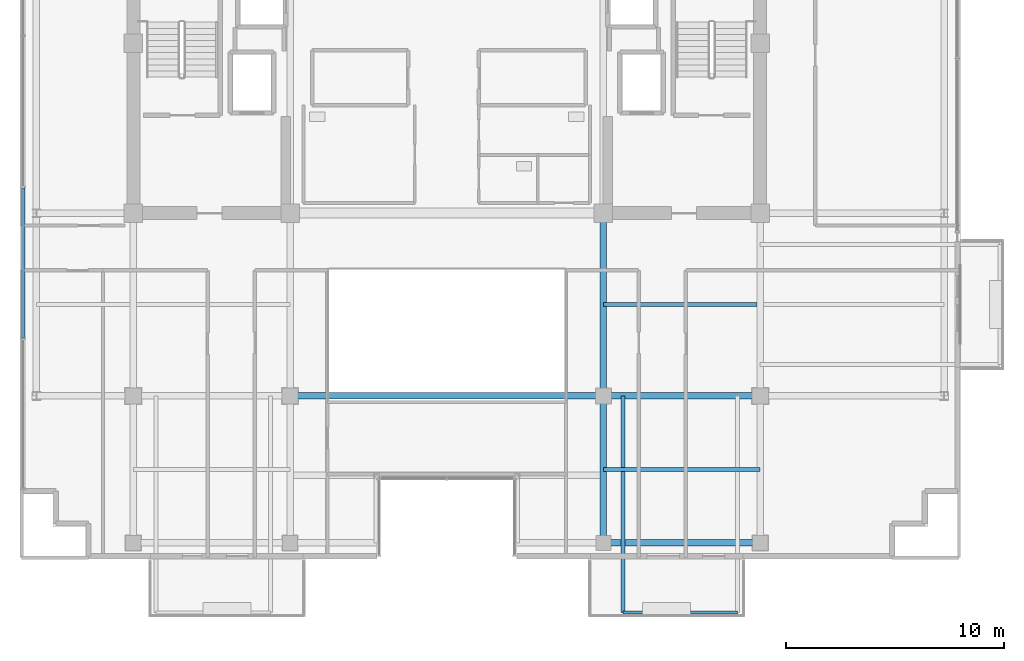
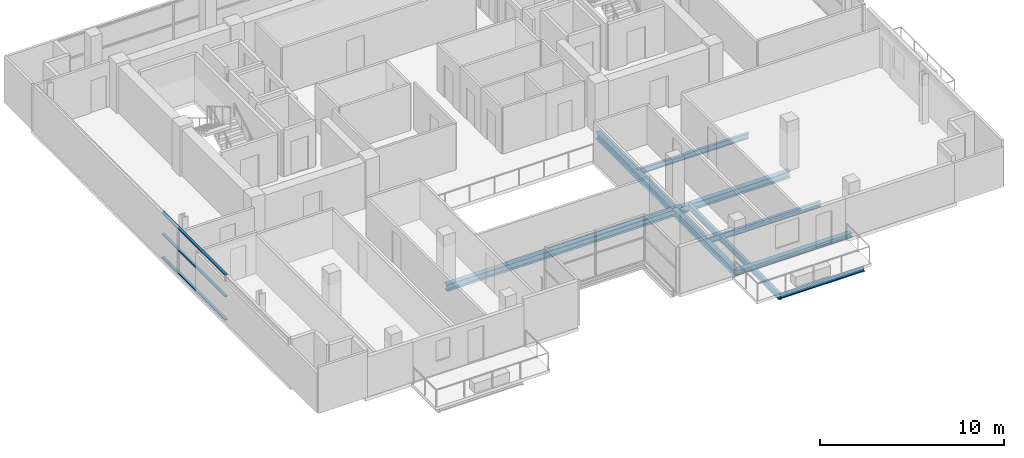
# One storey, part 6 of 22: 9 beams, 3 members, 1 element without a shape of its own.
"""IFC4 building model written with IfcOpenShell, lengths in metres."""

import ifcopenshell
import ifcopenshell.guid

model = None  # the IFC model being written
_history = None  # IfcOwnerHistory: only IFC2X3 demands one
_inside = {}  # id of a spatial element -> (the spatial element, [elements in it])
_under = {}  # id of a project, library or spatial element -> (it, [spatial elements below it])
_declared = {}  # id of a project -> (the project, [libraries it declares])
_typed = {}  # id of a type object -> (the type object, [elements of that type])
_made_of = {}  # id of a material, layer set ... -> (it, [elements and type objects made of it])


def new_model(schema):
    """Start an empty IFC model of exactly this schema.

    Asked for "IFC4X3", IfcOpenShell would pick the latest addendum, in which some entities
    have other attributes; the version numbers below select the first issue.
    IFC2X3 requires an IfcOwnerHistory on every rooted entity: one is made here for all.
    """
    global model, _history
    if schema == "IFC4X3":
        model = ifcopenshell.file(schema_version=(4, 3, 0, 0))
    else:
        model = ifcopenshell.file(schema=schema)
    _inside.clear()
    _under.clear()
    _declared.clear()
    _typed.clear()
    _made_of.clear()
    _history = None
    if model.schema == "IFC2X3":
        org = make("IfcOrganization", Name="unknown")
        user = make(
            "IfcPersonAndOrganization",
            ThePerson=make("IfcPerson", FamilyName="unknown"),
            TheOrganization=org,
        )
        app = make(
            "IfcApplication",
            ApplicationDeveloper=org,
            Version="unknown",
            ApplicationFullName="unknown",
            ApplicationIdentifier="unknown",
        )
        _history = make(
            "IfcOwnerHistory",
            OwningUser=user,
            OwningApplication=app,
            ChangeAction="ADDED",
            CreationDate=0,
        )
    return model


def make(cls, **values):
    """One entity of the class cls with the attributes given. An attribute that is None is left unset."""
    return model.create_entity(
        cls, **{name: value for name, value in values.items() if value is not None}
    )


def rooted(cls, **values):
    """An entity with a GlobalId (a new one), such as an element, a storey or a relation."""
    return make(cls, GlobalId=ifcopenshell.guid.new(), OwnerHistory=_history, **values)


def si_unit(unit_type, name, prefix=None):
    """IfcSIUnit, for example si_unit("LENGTHUNIT", "METRE", prefix="MILLI")."""
    return make("IfcSIUnit", UnitType=unit_type, Prefix=prefix, Name=name)


def assignment(units):
    """IfcUnitAssignment: the units of a project."""
    return None if units is None else make("IfcUnitAssignment", Units=units)


def point(xyz):
    """IfcCartesianPoint."""
    return None if xyz is None else make("IfcCartesianPoint", Coordinates=xyz)


def direction(xyz):
    """IfcDirection."""
    return None if xyz is None else make("IfcDirection", DirectionRatios=xyz)


def frame(location, z_axis=None, x_axis=None):
    """IfcAxis2Placement3D, a coordinate frame: its origin and axes. An axis left out is left unset."""
    return make(
        "IfcAxis2Placement3D",
        Location=point(location),
        Axis=direction(z_axis),
        RefDirection=direction(x_axis),
    )


def frame_2d(location, x_axis=None):
    """IfcAxis2Placement2D, a coordinate frame in the plane: its origin and x axis."""
    return make(
        "IfcAxis2Placement2D", Location=point(location), RefDirection=direction(x_axis)
    )


def origin():
    """The frame at (0, 0, 0) with its axes left unset."""
    return frame((0.0, 0.0, 0.0))


def origin_2d():
    """The frame at (0, 0) in the plane with its x axis left unset."""
    return frame_2d((0.0, 0.0))


def place(relative_to, where):
    """IfcLocalPlacement: puts the frame where relative to a parent placement (None: the world)."""
    return make(
        "IfcLocalPlacement", PlacementRelTo=relative_to, RelativePlacement=where
    )


def context(
    kind, dimensions, precision=None, world=None, true_north=None, identifier=None
):
    """IfcGeometricRepresentationContext, for example the 3D "Model" context."""
    return make(
        "IfcGeometricRepresentationContext",
        ContextIdentifier=identifier,
        ContextType=kind,
        CoordinateSpaceDimension=dimensions,
        Precision=precision,
        WorldCoordinateSystem=world,
        TrueNorth=true_north,
    )


def subcontext(parent, identifier, kind, view, scale=None):
    """IfcGeometricRepresentationSubContext, for example "Body" below "Model"."""
    return make(
        "IfcGeometricRepresentationSubContext",
        ContextIdentifier=identifier,
        ContextType=kind,
        ParentContext=parent,
        TargetScale=scale,
        TargetView=view,
    )


def project(units=None, contexts=None):
    """IfcProject with its units and contexts."""
    return rooted(
        "IfcProject",
        Name="project",
        RepresentationContexts=contexts,
        UnitsInContext=assignment(units),
    )


def spatial(cls, under=None, at=None, **own):
    """A site, building, storey or space (cls), placed at a placement, below another one or the project."""
    s = rooted(cls, ObjectPlacement=at, **own)
    if under is not None:
        _under.setdefault(under.id(), (under, []))[1].append(s)
    return s


def profile(cls, at=None, kind="AREA", **sizes):
    """A parametric profile (cls). Its sizes go by their IFC names, for example OverallWidth=200.0."""
    return make(cls, ProfileType=kind, Position=at, **sizes)


def hollow_rectangle(**sizes):
    """IfcRectangleHollowProfileDef."""
    return profile("IfcRectangleHollowProfileDef", **sizes)


def i_section(**sizes):
    """IfcIShapeProfileDef."""
    return profile("IfcIShapeProfileDef", **sizes)


def extrude(swept, where, along, depth):
    """IfcExtrudedAreaSolid: the profile swept, set in the frame where, extruded along a direction by depth."""
    return make(
        "IfcExtrudedAreaSolid",
        SweptArea=swept,
        Position=where,
        ExtrudedDirection=direction(along),
        Depth=depth,
    )


def shape(context_of_items, identifier, shape_type, items):
    """IfcShapeRepresentation: the items that make up one representation, for example the "Body"."""
    return make(
        "IfcShapeRepresentation",
        ContextOfItems=context_of_items,
        RepresentationIdentifier=identifier,
        RepresentationType=shape_type,
        Items=items,
    )


def source(mapping_origin, context_of_items, identifier, shape_type, items):
    """IfcRepresentationMap: a shape defined once, which mapped items show again and again."""
    return make(
        "IfcRepresentationMap",
        MappingOrigin=mapping_origin,
        MappedRepresentation=shape(context_of_items, identifier, shape_type, items),
    )


def transform(
    local_origin,
    x_axis=None,
    y_axis=None,
    z_axis=None,
    scale=None,
    scale2=None,
    scale3=None,
    uniform=True,
):
    """IfcCartesianTransformationOperator3D, or its non-uniform kind. x_axis, y_axis, z_axis: its Axis1, 2, 3."""
    if uniform:
        return make(
            "IfcCartesianTransformationOperator3D",
            Axis1=direction(x_axis),
            Axis2=direction(y_axis),
            LocalOrigin=point(local_origin),
            Scale=scale,
            Axis3=direction(z_axis),
        )
    return make(
        "IfcCartesianTransformationOperator3DnonUniform",
        Axis1=direction(x_axis),
        Axis2=direction(y_axis),
        LocalOrigin=point(local_origin),
        Scale=scale,
        Axis3=direction(z_axis),
        Scale2=scale2,
        Scale3=scale3,
    )


def mapped(mapping_source, mapping_target):
    """IfcMappedItem: shows the shape of a source again, moved by a transform."""
    return make(
        "IfcMappedItem", MappingSource=mapping_source, MappingTarget=mapping_target
    )


def material(Name=None, Category=None):
    """IfcMaterial."""
    return make("IfcMaterial", Name=Name, Category=Category)


def layer(
    of_material, thickness, ventilated=None, Name=None, Category=None, Priority=None
):
    """IfcMaterialLayer: one layer of a wall or slab, of a material (None: an air gap)."""
    return make(
        "IfcMaterialLayer",
        Material=of_material,
        LayerThickness=thickness,
        IsVentilated=ventilated,
        Name=Name,
        Category=Category,
        Priority=Priority,
    )


def layer_set(layers, Name=None):
    """IfcMaterialLayerSet."""
    return make("IfcMaterialLayerSet", MaterialLayers=layers, LayerSetName=Name)


def material_profile(
    of_material, cross_section, Name=None, Category=None, Priority=None
):
    """IfcMaterialProfile: a cross section and its material."""
    return make(
        "IfcMaterialProfile",
        Name=Name,
        Material=of_material,
        Profile=cross_section,
        Priority=Priority,
        Category=Category,
    )


def profile_set(profiles, Name=None, composite=None):
    """IfcMaterialProfileSet."""
    return make(
        "IfcMaterialProfileSet",
        Name=Name,
        MaterialProfiles=profiles,
        CompositeProfile=composite,
    )


def made_of(thing, what):
    """Note that an element or type object is made of a material, layer set ...; save() writes the relation."""
    if what is not None:
        _made_of.setdefault(what.id(), (what, []))[1].append(thing)
    return thing


def type_object(cls, material=None, **own):
    """A type object (cls), such as IfcWallType, which elements share."""
    return made_of(rooted(cls, **own), material)


def element(
    cls,
    number,
    at=None,
    inside=None,
    cuts=None,
    type_object=None,
    material=None,
    context=None,
    identifier="Body",
    shape_type=None,
    held_by="IfcProductDefinitionShape",
    body=None,
    shapes=None,
    **own,
):
    """One element of the class cls, such as IfcWall. Its Tag is "e" and its number.

    at: its placement. inside: the storey or other place that contains it. cuts: it is an
    opening in that element (IfcRelVoidsElement). A single representation is given by context,
    identifier, shape_type and body (its items); several are given by shapes. held_by: the class
    of the entity that holds the representations. save() writes the other relations.
    """
    e = rooted(cls, Tag="e%d" % number, ObjectPlacement=at, **own)
    if body is not None:
        shapes = [shape(context, identifier, shape_type, body)]
    if shapes is not None:
        e.Representation = make(held_by, Representations=shapes)
    if inside is not None:
        _inside.setdefault(inside.id(), (inside, []))[1].append(e)
    if cuts is not None:
        rooted(
            "IfcRelVoidsElement", RelatingBuildingElement=cuts, RelatedOpeningElement=e
        )
    if type_object is not None:
        _typed.setdefault(type_object.id(), (type_object, []))[1].append(e)
    return made_of(e, material)


def aggregate(whole, parts):
    """IfcRelAggregates: a whole, such as a stair, and the parts it consists of."""
    return rooted("IfcRelAggregates", RelatingObject=whole, RelatedObjects=parts)


def save(model, path):
    """Write the relations noted so far, then the file.

    IfcRelAggregates (storeys below a building ...), IfcRelContainedInSpatialStructure (elements
    in a storey), IfcRelDefinesByType, IfcRelAssociatesMaterial and IfcRelDeclares: one each for
    every whole, place, type object, material and project.
    """
    for whole, parts in _under.values():
        aggregate(whole, parts)
    for where, things in _inside.values():
        rooted(
            "IfcRelContainedInSpatialStructure",
            RelatedElements=things,
            RelatingStructure=where,
        )
    for kind, things in _typed.values():
        rooted("IfcRelDefinesByType", RelatedObjects=things, RelatingType=kind)
    for what, things in _made_of.values():
        rooted("IfcRelAssociatesMaterial", RelatedObjects=things, RelatingMaterial=what)
    for by, libraries in _declared.values():
        rooted("IfcRelDeclares", RelatingContext=by, RelatedDefinitions=libraries)
    model.write(path)


model = new_model("IFC4")

# Units and contexts
model_context = context("Model", 3, precision=1e-05, world=origin(), true_north=direction((0.0, 1.0)))
body_context = subcontext(model_context, "Body", "Model", "MODEL_VIEW")
ifc_project = project(units=[si_unit("LENGTHUNIT", "METRE"), si_unit("AREAUNIT", "SQUARE_METRE"), si_unit("VOLUMEUNIT", "CUBIC_METRE"), si_unit("PLANEANGLEUNIT", "RADIAN"), si_unit("MASSUNIT", "GRAM", prefix="KILO")], contexts=[model_context])

# Site, building, storey
site_placement = place(None, origin())
site = spatial("IfcSite", under=ifc_project, at=site_placement, CompositionType="ELEMENT")
building_placement = place(site_placement, origin())
building = spatial("IfcBuilding", under=site, at=building_placement, Name="Zarnakvel Exchange Tower", CompositionType="ELEMENT")
storey_placement = place(building_placement, frame((0.0, 0.0, 238.60009765625)))
storey = spatial("IfcBuildingStorey", under=building, at=storey_placement, Name="L67", CompositionType="ELEMENT", Elevation=238.60009765625)

# Beams
ifc_material_1 = material(Name="Steel S355", Category="steel")
ifc_material_profile_1 = material_profile(ifc_material_1, i_section(OverallWidth=0.179931640625, OverallDepth=0.39990234375, WebThickness=0.008544921875, FlangeThickness=0.013427734375, FilletRadius=0.02099609375, at=origin_2d()))
ifc_profile_set_1 = profile_set([ifc_material_profile_1], Name="Steel S355")
beam_type_1 = type_object("IfcBeamType", Name="B-06", PredefinedType="JOIST", material=ifc_profile_set_1)
beam_1_placement = place(storey_placement, frame((8.10009765625, -9.60009765625, -0.425048828125), z_axis=(0.0, -1.0, 0.0), x_axis=(1.0, 0.0, 0.0)))
element("IfcBeam", 1, at=beam_1_placement, inside=storey, type_object=beam_type_1, Name="L67 Continuous Back-Spanned Balcony Beam W", PredefinedType="JOIST", context=body_context, shape_type="SweptSolid", body=[
    extrude(i_section(OverallWidth=0.179931640625, OverallDepth=0.39990234375, WebThickness=0.008544921875, FlangeThickness=0.013427734375, FilletRadius=0.02099609375, at=origin_2d()), origin(), (0.0, 0.0, 1.0), 9.949951171875),
])
ifc_material_profile_2 = material_profile(ifc_material_1, i_section(OverallWidth=0.169921875, OverallDepth=0.360107421875, WebThickness=0.008056640625, FlangeThickness=0.0126953125, FilletRadius=0.01806640625, at=origin_2d()))
ifc_profile_set_2 = profile_set([ifc_material_profile_2], Name="Steel S355")
beam_type_2 = type_object("IfcBeamType", Name="B-07", PredefinedType="JOIST", material=ifc_profile_set_2)
beam_2_placement = place(storey_placement, frame((7.199951171875, -12.97509765625, -0.405029296875), z_axis=(1.0, 0.0, 0.0), x_axis=(0.0, 1.0, 0.0)))
element("IfcBeam", 2, at=beam_2_placement, inside=storey, type_object=beam_type_2, Name="L67 Composite Floor Secondary Joist", PredefinedType="JOIST", context=body_context, shape_type="SweptSolid", body=[
    extrude(i_section(OverallWidth=0.169921875, OverallDepth=0.360107421875, WebThickness=0.008056640625, FlangeThickness=0.0126953125, FilletRadius=0.01806640625, at=origin_2d()), origin(), (0.0, 0.0, 1.0), 7.199951171875),
])
beam_3_placement = place(storey_placement, frame((7.199951171875, -5.39990234375, -0.405029296875), z_axis=(1.0, 0.0, 0.0), x_axis=(0.0, 1.0, 0.0)))
element("IfcBeam", 3, at=beam_3_placement, inside=storey, type_object=beam_type_2, Name="L67 Composite Floor Secondary Joist", PredefinedType="JOIST", context=body_context, shape_type="SweptSolid", body=[
    extrude(i_section(OverallWidth=0.169921875, OverallDepth=0.360107421875, WebThickness=0.008056640625, FlangeThickness=0.0126953125, FilletRadius=0.01806640625, at=origin_2d()), origin(), (0.0, 0.0, 1.0), 7.050048828125),
])
ifc_material_profile_3 = material_profile(ifc_material_1, i_section(OverallWidth=0.14990234375, OverallDepth=0.300048828125, WebThickness=0.007080078125, FlangeThickness=0.0107421875, FilletRadius=0.014892578125, at=origin_2d()))
ifc_profile_set_3 = profile_set([ifc_material_profile_3], Name="Steel S355")
beam_type_3 = type_object("IfcBeamType", Name="B-08", PredefinedType="JOIST", material=ifc_profile_set_3)
beam_4_placement = place(storey_placement, frame((8.10009765625, -19.550048828125, -0.375), z_axis=(1.0, 0.0, 0.0), x_axis=(0.0, 1.0, 0.0)))
element("IfcBeam", 4, at=beam_4_placement, inside=storey, type_object=beam_type_3, Name="L67 Balcony Edge Beam", PredefinedType="JOIST", context=body_context, shape_type="SweptSolid", body=[
    extrude(i_section(OverallWidth=0.14990234375, OverallDepth=0.300048828125, WebThickness=0.007080078125, FlangeThickness=0.0107421875, FilletRadius=0.014892578125, at=origin_2d()), origin(), (0.0, 0.0, 1.0), 5.25),
])
ifc_material_profile_4 = material_profile(ifc_material_1, i_section(OverallWidth=0.300048828125, OverallDepth=0.449951171875, WebThickness=0.013916015625, FlangeThickness=0.02587890625, FilletRadius=0.027099609375, at=origin_2d()))
ifc_profile_set_4 = profile_set([ifc_material_profile_4], Name="Steel S355")
beam_type_4 = type_object("IfcBeamType", Name="G-07", PredefinedType="BEAM", material=ifc_profile_set_4)
beam_5_placement = place(storey_placement, frame((-7.199951171875, -9.60009765625, -0.4501953125), z_axis=(1.0, 0.0, 0.0), x_axis=(0.0, 1.0, 0.0)))
element("IfcBeam", 5, at=beam_5_placement, inside=storey, type_object=beam_type_4, Name="L67 Tower E-W Frame Beam", PredefinedType="BEAM", context=body_context, shape_type="SweptSolid", body=[
    extrude(i_section(OverallWidth=0.300048828125, OverallDepth=0.449951171875, WebThickness=0.013916015625, FlangeThickness=0.02587890625, FilletRadius=0.027099609375, at=origin_2d()), origin(), (0.0, 0.0, 1.0), 14.39990234375),
])
beam_6_placement = place(storey_placement, frame((7.199951171875, -9.60009765625, -0.4501953125), z_axis=(1.0, 0.0, 0.0), x_axis=(0.0, 1.0, 0.0)))
element("IfcBeam", 6, at=beam_6_placement, inside=storey, type_object=beam_type_4, Name="L67 Tower E-W Frame Beam", PredefinedType="BEAM", context=body_context, shape_type="SweptSolid", body=[
    extrude(i_section(OverallWidth=0.300048828125, OverallDepth=0.449951171875, WebThickness=0.013916015625, FlangeThickness=0.02587890625, FilletRadius=0.027099609375, at=origin_2d()), origin(), (0.0, 0.0, 1.0), 7.199951171875),
])
beam_7_placement = place(storey_placement, frame((7.199951171875, -16.35009765625, -0.4501953125), z_axis=(0.0, 1.0, 0.0), x_axis=(-1.0, 0.0, 0.0)))
element("IfcBeam", 7, at=beam_7_placement, inside=storey, type_object=beam_type_4, Name="L67 Tower N-S Frame Beam", PredefinedType="BEAM", context=body_context, shape_type="SweptSolid", body=[
    extrude(i_section(OverallWidth=0.300048828125, OverallDepth=0.449951171875, WebThickness=0.013916015625, FlangeThickness=0.02587890625, FilletRadius=0.027099609375, at=origin_2d()), origin(), (0.0, 0.0, 1.0), 6.75),
])
beam_8_placement = place(storey_placement, frame((7.199951171875, -9.60009765625, -0.4501953125), z_axis=(0.0, 1.0, 0.0), x_axis=(-1.0, 0.0, 0.0)))
element("IfcBeam", 8, at=beam_8_placement, inside=storey, type_object=beam_type_4, Name="L67 Tower N-S Frame Beam", PredefinedType="BEAM", context=body_context, shape_type="SweptSolid", body=[
    extrude(i_section(OverallWidth=0.300048828125, OverallDepth=0.449951171875, WebThickness=0.013916015625, FlangeThickness=0.02587890625, FilletRadius=0.027099609375, at=origin_2d()), origin(), (0.0, 0.0, 1.0), 8.400146484375),
])
ifc_material_profile_5 = material_profile(ifc_material_1, i_section(OverallWidth=0.300048828125, OverallDepth=0.300048828125, WebThickness=0.010986328125, FlangeThickness=0.01904296875, FilletRadius=0.027099609375, at=origin_2d()))
ifc_profile_set_5 = profile_set([ifc_material_profile_5], Name="Steel S355")
beam_type_5 = type_object("IfcBeamType", Name="SP-03", PredefinedType="SPANDREL", material=ifc_profile_set_5)
beam_9_placement = place(storey_placement, frame((7.199951171875, -16.35009765625, -0.375), z_axis=(1.0, 0.0, 0.0), x_axis=(0.0, 1.0, 0.0)))
element("IfcBeam", 9, at=beam_9_placement, inside=storey, type_object=beam_type_5, Name="L67 Tower E-W Frame Beam", PredefinedType="SPANDREL", context=body_context, shape_type="SweptSolid", body=[
    extrude(i_section(OverallWidth=0.300048828125, OverallDepth=0.300048828125, WebThickness=0.010986328125, FlangeThickness=0.01904296875, FilletRadius=0.027099609375, at=origin_2d()), origin(), (0.0, 0.0, 1.0), 7.199951171875),
])

# Curtain wall, members
ifc_material_2 = material(Name="Architectural Bronze Anodised Aluminium", Category="aluminium")
ifc_layer = layer(ifc_material_2, 0.199951171875)
ifc_layer_set = layer_set([ifc_layer], Name="Architectural Bronze Anodised Aluminium")
curtain_wall_type = type_object("IfcCurtainWallType", Name="CW-04", PredefinedType="NOTDEFINED", material=ifc_layer_set)
curtain_wall_placement = place(storey_placement, origin())
curtain_wall = element("IfcCurtainWall", 10, at=curtain_wall_placement, inside=storey, type_object=curtain_wall_type, Name="L67 Curtain Wall CW-L67-W1 (CW-04)", PredefinedType="NOTDEFINED")
ifc_material_profile_6 = material_profile(ifc_material_2, hollow_rectangle(XDim=0.159912109375, YDim=0.074951171875, WallThickness=0.00390625, at=origin_2d()))
ifc_profile_set_6 = profile_set([ifc_material_profile_6], Name="Architectural Bronze Anodised Aluminium")
member_type = type_object("IfcMemberType", Name="CWT-04", PredefinedType="USERDEFINED", material=ifc_profile_set_6)
shared_shape = source(origin(), body_context, "Body", "SweptSolid", [
    extrude(hollow_rectangle(XDim=0.159912109375, YDim=0.074951171875, WallThickness=0.00390625, at=origin_2d()), origin(), (0.0, 0.0, 1.0), 6.875),
])
member_1_placement = place(storey_placement, frame((-19.4599609375, -6.91259765625, 0.037353515625), z_axis=(0.0, 1.0, 0.0), x_axis=(-1.0, 0.0, 0.0)))
member_1 = element("IfcMember", 11, at=member_1_placement, type_object=member_type, Name="CW-04 transom 2.1", ObjectType="TRANSOM", PredefinedType="USERDEFINED", context=body_context, shape_type="MappedRepresentation", body=[
    mapped(shared_shape, transform((0.0, 0.0, 0.0), x_axis=(1.0, 0.0, 0.0), y_axis=(0.0, 1.0, 0.0), z_axis=(0.0, 0.0, 1.0), scale=1.0)),
])
member_2_placement = place(storey_placement, frame((-19.4599609375, -6.91259765625, 1.588623046875), z_axis=(0.0, 1.0, 0.0), x_axis=(-1.0, 0.0, 0.0)))
member_2 = element("IfcMember", 12, at=member_2_placement, type_object=member_type, Name="CW-04 transom 2.2", ObjectType="TRANSOM", PredefinedType="USERDEFINED", context=body_context, shape_type="MappedRepresentation", body=[
    mapped(shared_shape, transform((0.0, 0.0, 0.0), x_axis=(1.0, 0.0, 0.0), y_axis=(0.0, 1.0, 0.0), z_axis=(0.0, 0.0, 1.0), scale=1.0)),
])
member_3_placement = place(storey_placement, frame((-19.4599609375, -6.91259765625, 3.017333984375), z_axis=(0.0, 1.0, 0.0), x_axis=(-1.0, 0.0, 0.0)))
member_3 = element("IfcMember", 13, at=member_3_placement, type_object=member_type, Name="CW-04 transom 2.3", ObjectType="TRANSOM", PredefinedType="USERDEFINED", context=body_context, shape_type="MappedRepresentation", body=[
    mapped(shared_shape, transform((0.0, 0.0, 0.0), x_axis=(1.0, 0.0, 0.0), y_axis=(0.0, 1.0, 0.0), z_axis=(0.0, 0.0, 1.0), scale=1.0)),
])
aggregate(curtain_wall, [member_1, member_2, member_3])

save(model, "model.ifc")
